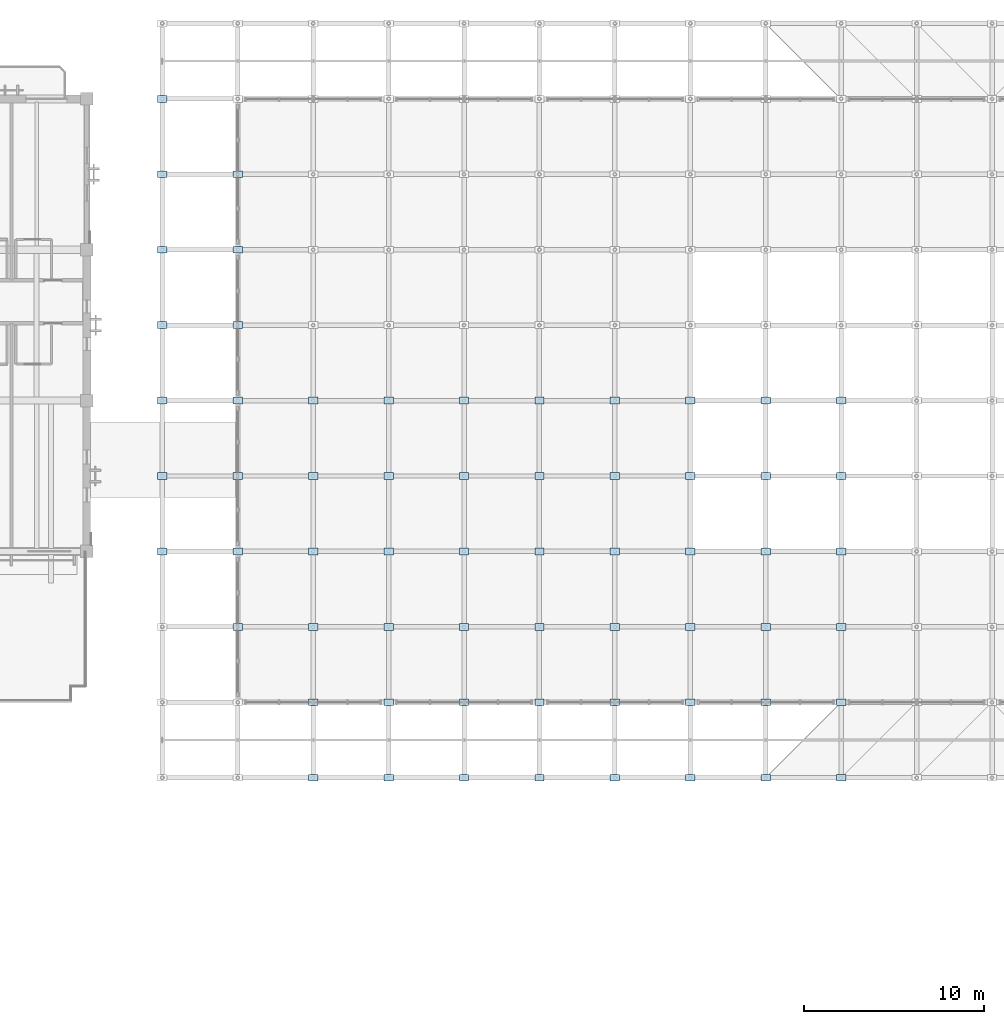
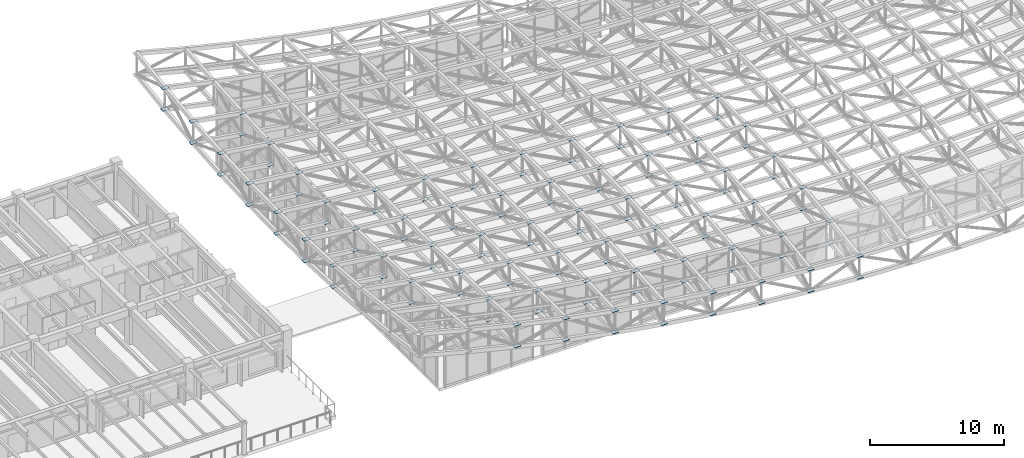
# One storey, part 77 of 111: 124 plates.
"""IFC4 building model written with IfcOpenShell, lengths in metres."""

from ifc_helpers import new_model, si_unit, direction, frame, origin, origin_2d, place, context, subcontext, project, spatial, rectangle, extrude, material, layer, layer_set, type_object, element, save


model = new_model("IFC4")

# Units and contexts
model_context = context("Model", 3, precision=1e-05, world=origin(), true_north=direction((0.0, 1.0)))
body_context = subcontext(model_context, "Body", "Model", "MODEL_VIEW")
ifc_project = project(units=[si_unit("LENGTHUNIT", "METRE"), si_unit("AREAUNIT", "SQUARE_METRE"), si_unit("VOLUMEUNIT", "CUBIC_METRE"), si_unit("PLANEANGLEUNIT", "RADIAN"), si_unit("MASSUNIT", "GRAM", prefix="KILO")], contexts=[model_context])

# Site, building, storey
site_placement = place(None, origin())
site = spatial("IfcSite", under=ifc_project, at=site_placement, CompositionType="ELEMENT")
building_placement = place(site_placement, origin())
building = spatial("IfcBuilding", under=site, at=building_placement, Name="Cumbredor Promenade Congress Hotel", CompositionType="ELEMENT")
storey_placement = place(building_placement, frame((0.0, 0.0, 15.1201171875)))
storey = spatial("IfcBuildingStorey", under=building, at=storey_placement, Name="L04", CompositionType="ELEMENT", Elevation=15.1201171875)

# Plates
ifc_material = material(Name="Steel ASTM A572 Grade 50", Category="steel")
ifc_layer = layer(ifc_material, 0.030029296875, Name="Steel ASTM A572 Grade 50", Category="steel")
ifc_layer_set = layer_set([ifc_layer], Name="Steel ASTM A572 Grade 50")
plate_type = type_object("IfcPlateType", Name="Forum Truss Node Assembly ND-04", PredefinedType="USERDEFINED", material=ifc_layer_set)
for number, where, z_axis, x_axis, name in (
    (1, (88.199951171875, 92.39990234375, 7.6005859375), (0.0, 0.0, 1.0), (1.0, 0.0, 0.0), "Pre-Function and Breakout Meeting Forum Space Frame Top Node 1.4"),
    (2, (88.199951171875, 92.39990234375, 5.65087890625), (0.0, 0.0, 1.0), (1.0, 0.0, 0.0), "Pre-Function and Breakout Meeting Forum Space Frame Bottom Node 1.4"),
    (3, (88.199951171875, 96.60009765625, 7.39794921875), (0.0, 0.0, 1.0), (1.0, 0.0, 0.0), "Pre-Function and Breakout Meeting Forum Space Frame Top Node 1.5"),
    (4, (88.199951171875, 96.60009765625, 5.44775390625), (0.0, 0.0, 1.0), (1.0, 0.0, 0.0), "Pre-Function and Breakout Meeting Forum Space Frame Bottom Node 1.5"),
    (5, (88.199951171875, 100.800048828125, 7.330078125), (0.0, 0.0, 1.0), (1.0, 0.0, 0.0), "Pre-Function and Breakout Meeting Forum Space Frame Top Node 1.6"),
    (6, (88.199951171875, 100.800048828125, 5.38037109375), (0.0, 0.0, 1.0), (1.0, 0.0, 0.0), "Pre-Function and Breakout Meeting Forum Space Frame Bottom Node 1.6"),
    (7, (88.199951171875, 105.0, 7.39794921875), (0.0, 0.0, 1.0), (1.0, 0.0, 0.0), "Pre-Function and Breakout Meeting Forum Space Frame Top Node 1.7"),
    (8, (88.199951171875, 105.0, 5.44775390625), (0.0, 0.0, 1.0), (1.0, 0.0, 0.0), "Pre-Function and Breakout Meeting Forum Space Frame Bottom Node 1.7"),
    (9, (88.199951171875, 109.199951171875, 7.6005859375), (0.0, 0.0, 1.0), (1.0, 0.0, 0.0), "Pre-Function and Breakout Meeting Forum Space Frame Top Node 1.8"),
    (10, (88.199951171875, 109.199951171875, 5.65087890625), (0.0, 0.0, 1.0), (1.0, 0.0, 0.0), "Pre-Function and Breakout Meeting Forum Space Frame Bottom Node 1.8"),
    (11, (88.199951171875, 113.39990234375, 7.93896484375), (0.0, 0.0, 1.0), (1.0, 0.0, 0.0), "Pre-Function and Breakout Meeting Forum Space Frame Top Node 1.9"),
    (12, (88.199951171875, 113.39990234375, 5.98876953125), (0.0, 0.0, 1.0), (1.0, 0.0, 0.0), "Pre-Function and Breakout Meeting Forum Space Frame Bottom Node 1.9"),
    (13, (88.199951171875, 117.60009765625, 8.41162109375), (0.0, 0.0, 1.0), (1.0, 0.0, 0.0), "Pre-Function and Breakout Meeting Forum Space Frame Top Node 1.10"),
    (14, (88.199951171875, 117.60009765625, 6.4619140625), (0.0, 0.0, 1.0), (1.0, 0.0, 0.0), "Pre-Function and Breakout Meeting Forum Space Frame Bottom Node 1.10"),
    (15, (92.39990234375, 88.199951171875, 7.22705078125), (0.0, 0.0, 1.0), (1.0, 0.0, 0.0), "Pre-Function and Breakout Meeting Forum Space Frame Top Node 2.3"),
    (16, (92.39990234375, 88.199951171875, 5.27685546875), (0.0, 0.0, 1.0), (1.0, 0.0, 0.0), "Pre-Function and Breakout Meeting Forum Space Frame Bottom Node 2.3"),
    (17, (92.39990234375, 92.39990234375, 7.01416015625), (0.0, 0.0, 1.0), (1.0, 0.0, 0.0), "Pre-Function and Breakout Meeting Forum Space Frame Top Node 2.4"),
    (18, (92.39990234375, 92.39990234375, 5.06396484375), (0.0, 0.0, 1.0), (1.0, 0.0, 0.0), "Pre-Function and Breakout Meeting Forum Space Frame Bottom Node 2.4"),
    (19, (92.39990234375, 96.60009765625, 6.88623046875), (0.0, 0.0, 1.0), (1.0, 0.0, 0.0), "Pre-Function and Breakout Meeting Forum Space Frame Top Node 2.5"),
    (20, (92.39990234375, 96.60009765625, 4.9365234375), (0.0, 0.0, 1.0), (1.0, 0.0, 0.0), "Pre-Function and Breakout Meeting Forum Space Frame Bottom Node 2.5"),
    (21, (92.39990234375, 100.800048828125, 6.84375), (0.0, 0.0, 1.0), (1.0, 0.0, 0.0), "Pre-Function and Breakout Meeting Forum Space Frame Top Node 2.6"),
    (22, (92.39990234375, 100.800048828125, 4.89404296875), (0.0, 0.0, 1.0), (1.0, 0.0, 0.0), "Pre-Function and Breakout Meeting Forum Space Frame Bottom Node 2.6"),
    (23, (92.39990234375, 105.0, 6.88623046875), (0.0, 0.0, 1.0), (1.0, 0.0, 0.0), "Pre-Function and Breakout Meeting Forum Space Frame Top Node 2.7"),
    (24, (92.39990234375, 105.0, 4.9365234375), (0.0, 0.0, 1.0), (1.0, 0.0, 0.0), "Pre-Function and Breakout Meeting Forum Space Frame Bottom Node 2.7"),
    (25, (92.39990234375, 109.199951171875, 7.01416015625), (0.0, 0.0, 1.0), (1.0, 0.0, 0.0), "Pre-Function and Breakout Meeting Forum Space Frame Top Node 2.8"),
    (26, (92.39990234375, 109.199951171875, 5.06396484375), (0.0, 0.0, 1.0), (1.0, 0.0, 0.0), "Pre-Function and Breakout Meeting Forum Space Frame Bottom Node 2.8"),
    (27, (92.39990234375, 113.39990234375, 7.22705078125), (0.0, 0.0, 1.0), (1.0, 0.0, 0.0), "Pre-Function and Breakout Meeting Forum Space Frame Top Node 2.9"),
    (28, (92.39990234375, 113.39990234375, 5.27685546875), (0.0, 0.0, 1.0), (1.0, 0.0, 0.0), "Pre-Function and Breakout Meeting Forum Space Frame Bottom Node 2.9"),
    (29, (96.60009765625, 79.800048828125, 6.90869140625), (0.0, 0.0, 1.0), (1.0, 0.0, 0.0), "Pre-Function and Breakout Meeting Forum Space Frame Top Node 3.1"),
    (30, (96.60009765625, 79.800048828125, 4.958984375), (0.0, 0.0, 1.0), (1.0, 0.0, 0.0), "Pre-Function and Breakout Meeting Forum Space Frame Bottom Node 3.1"),
    (31, (96.60009765625, 84.0, 6.72509765625), (0.0, 0.0, 1.0), (1.0, 0.0, 0.0), "Pre-Function and Breakout Meeting Forum Space Frame Top Node 3.2"),
    (32, (96.60009765625, 84.0, 4.775390625), (0.0, 0.0, 1.0), (1.0, 0.0, 0.0), "Pre-Function and Breakout Meeting Forum Space Frame Bottom Node 3.2"),
    (33, (96.60009765625, 88.199951171875, 6.5849609375), (0.0, 0.0, 1.0), (1.0, 0.0, 0.0), "Pre-Function and Breakout Meeting Forum Space Frame Top Node 3.3"),
    (34, (96.60009765625, 88.199951171875, 4.63525390625), (0.0, 0.0, 1.0), (1.0, 0.0, 0.0), "Pre-Function and Breakout Meeting Forum Space Frame Bottom Node 3.3"),
    (35, (96.60009765625, 92.39990234375, 6.48486328125), (0.0, 0.0, 1.0), (1.0, 0.0, 0.0), "Pre-Function and Breakout Meeting Forum Space Frame Top Node 3.4"),
    (36, (96.60009765625, 92.39990234375, 4.53466796875), (0.0, 0.0, 1.0), (1.0, 0.0, 0.0), "Pre-Function and Breakout Meeting Forum Space Frame Bottom Node 3.4"),
    (37, (96.60009765625, 96.60009765625, 6.4248046875), (0.0, 0.0, 1.0), (1.0, 0.0, 0.0), "Pre-Function and Breakout Meeting Forum Space Frame Top Node 3.5"),
    (38, (96.60009765625, 96.60009765625, 4.474609375), (0.0, 0.0, 1.0), (1.0, 0.0, 0.0), "Pre-Function and Breakout Meeting Forum Space Frame Bottom Node 3.5"),
    (39, (96.60009765625, 100.800048828125, 6.40478515625), (0.0, 0.0, 1.0), (1.0, 0.0, 0.0), "Pre-Function and Breakout Meeting Forum Space Frame Top Node 3.6"),
    (40, (96.60009765625, 100.800048828125, 4.45458984375), (0.0, 0.0, 1.0), (1.0, 0.0, 0.0), "Pre-Function and Breakout Meeting Forum Space Frame Bottom Node 3.6"),
    (41, (100.800048828125, 79.800048828125, 6.01123046875), (0.0, 0.0, 1.0), (1.0, 0.0, 0.0), "Pre-Function and Breakout Meeting Forum Space Frame Top Node 4.1"),
    (42, (100.800048828125, 79.800048828125, 4.06103515625), (0.0, 0.0, 1.0), (1.0, 0.0, 0.0), "Pre-Function and Breakout Meeting Forum Space Frame Bottom Node 4.1"),
    (43, (100.800048828125, 84.0, 6.009765625), (0.0, 0.0, 1.0), (1.0, 0.0, 0.0), "Pre-Function and Breakout Meeting Forum Space Frame Top Node 4.2"),
    (44, (100.800048828125, 84.0, 4.0595703125), (0.0, 0.0, 1.0), (1.0, 0.0, 0.0), "Pre-Function and Breakout Meeting Forum Space Frame Bottom Node 4.2"),
    (45, (100.800048828125, 88.199951171875, 6.0107421875), (0.0, 0.0, 1.0), (1.0, 0.0, 0.0), "Pre-Function and Breakout Meeting Forum Space Frame Top Node 4.3"),
    (46, (100.800048828125, 88.199951171875, 4.060546875), (0.0, 0.0, 1.0), (1.0, 0.0, 0.0), "Pre-Function and Breakout Meeting Forum Space Frame Bottom Node 4.3"),
    (47, (100.800048828125, 92.39990234375, 6.01123046875), (0.0, 0.0, 1.0), (1.0, 0.0, 0.0), "Pre-Function and Breakout Meeting Forum Space Frame Top Node 4.4"),
    (48, (100.800048828125, 92.39990234375, 4.06103515625), (0.0, 0.0, 1.0), (1.0, 0.0, 0.0), "Pre-Function and Breakout Meeting Forum Space Frame Bottom Node 4.4"),
    (49, (100.800048828125, 96.60009765625, 6.01123046875), (0.0, 0.0, 1.0), (1.0, 0.0, 0.0), "Pre-Function and Breakout Meeting Forum Space Frame Top Node 4.5"),
    (50, (100.800048828125, 96.60009765625, 4.0615234375), (0.0, 0.0, 1.0), (1.0, 0.0, 0.0), "Pre-Function and Breakout Meeting Forum Space Frame Bottom Node 4.5"),
    (51, (100.800048828125, 100.800048828125, 6.01171875), (0.0, 0.0, 1.0), (1.0, 0.0, 0.0), "Pre-Function and Breakout Meeting Forum Space Frame Top Node 4.6"),
    (52, (100.800048828125, 100.800048828125, 4.0615234375), (0.0, 0.0, 1.0), (1.0, 0.0, 0.0), "Pre-Function and Breakout Meeting Forum Space Frame Bottom Node 4.6"),
    (53, (105.0, 79.800048828125, 5.21875), (0.0, 0.0, 1.0), (1.0, 0.0, 0.0), "Pre-Function and Breakout Meeting Forum Space Frame Top Node 5.1"),
    (54, (105.0, 79.800048828125, 3.26904296875), (0.0, 0.0, 1.0), (1.0, 0.0, 0.0), "Pre-Function and Breakout Meeting Forum Space Frame Bottom Node 5.1"),
    (55, (105.0, 84.0, 5.3779296875), (0.0, 0.0, 1.0), (1.0, 0.0, 0.0), "Pre-Function and Breakout Meeting Forum Space Frame Top Node 5.2"),
    (56, (105.0, 84.0, 3.42822265625), (0.0, 0.0, 1.0), (1.0, 0.0, 0.0), "Pre-Function and Breakout Meeting Forum Space Frame Bottom Node 5.2"),
    (57, (105.0, 88.199951171875, 5.50390625), (0.0, 0.0, 1.0), (1.0, 0.0, 0.0), "Pre-Function and Breakout Meeting Forum Space Frame Top Node 5.3"),
    (58, (105.0, 88.199951171875, 3.5537109375), (0.0, 0.0, 1.0), (1.0, 0.0, 0.0), "Pre-Function and Breakout Meeting Forum Space Frame Bottom Node 5.3"),
    (59, (105.0, 92.39990234375, 5.59326171875), (0.0, 0.0, 1.0), (1.0, 0.0, 0.0), "Pre-Function and Breakout Meeting Forum Space Frame Top Node 5.4"),
    (60, (105.0, 92.39990234375, 3.64306640625), (0.0, 0.0, 1.0), (1.0, 0.0, 0.0), "Pre-Function and Breakout Meeting Forum Space Frame Bottom Node 5.4"),
    (61, (105.0, 96.60009765625, 5.64697265625), (0.0, 0.0, 1.0), (1.0, 0.0, 0.0), "Pre-Function and Breakout Meeting Forum Space Frame Top Node 5.5"),
    (62, (105.0, 96.60009765625, 3.69677734375), (0.0, 0.0, 1.0), (1.0, 0.0, 0.0), "Pre-Function and Breakout Meeting Forum Space Frame Bottom Node 5.5"),
    (63, (105.0, 100.800048828125, 5.6650390625), (0.0, 0.0, 1.0), (1.0, 0.0, 0.0), "Pre-Function and Breakout Meeting Forum Space Frame Top Node 5.6"),
    (64, (105.0, 100.800048828125, 3.71484375), (0.0, 0.0, 1.0), (1.0, 0.0, 0.0), "Pre-Function and Breakout Meeting Forum Space Frame Bottom Node 5.6"),
    (65, (109.199951171875, 79.800048828125, 4.53173828125), (0.0, 0.0, 1.0), (1.0, 0.0, 0.0), "Pre-Function and Breakout Meeting Forum Space Frame Top Node 6.1"),
    (66, (109.199951171875, 79.800048828125, 2.58203125), (0.0, 0.0, 1.0), (1.0, 0.0, 0.0), "Pre-Function and Breakout Meeting Forum Space Frame Bottom Node 6.1"),
    (67, (109.199951171875, 84.0, 4.83056640625), (0.0, 0.0, 1.0), (1.0, 0.0, 0.0), "Pre-Function and Breakout Meeting Forum Space Frame Top Node 6.2"),
    (68, (109.199951171875, 84.0, 2.88037109375), (0.0, 0.0, 1.0), (1.0, 0.0, 0.0), "Pre-Function and Breakout Meeting Forum Space Frame Bottom Node 6.2"),
    (69, (109.199951171875, 88.199951171875, 5.06396484375), (0.0, 0.0, 1.0), (1.0, 0.0, 0.0), "Pre-Function and Breakout Meeting Forum Space Frame Top Node 6.3"),
    (70, (109.199951171875, 88.199951171875, 3.11376953125), (0.0, 0.0, 1.0), (1.0, 0.0, 0.0), "Pre-Function and Breakout Meeting Forum Space Frame Bottom Node 6.3"),
    (71, (109.199951171875, 92.39990234375, 5.23046875), (0.0, 0.0, 1.0), (1.0, 0.0, 0.0), "Pre-Function and Breakout Meeting Forum Space Frame Top Node 6.4"),
    (72, (109.199951171875, 92.39990234375, 3.28076171875), (0.0, 0.0, 1.0), (1.0, 0.0, 0.0), "Pre-Function and Breakout Meeting Forum Space Frame Bottom Node 6.4"),
    (73, (109.199951171875, 96.60009765625, 5.33056640625), (0.0, 0.0, 1.0), (1.0, 0.0, 0.0), "Pre-Function and Breakout Meeting Forum Space Frame Top Node 6.5"),
    (74, (109.199951171875, 96.60009765625, 3.380859375), (0.0, 0.0, 1.0), (1.0, 0.0, 0.0), "Pre-Function and Breakout Meeting Forum Space Frame Bottom Node 6.5"),
    (75, (109.199951171875, 100.800048828125, 5.3642578125), (0.0, 0.0, 1.0), (1.0, 0.0, 0.0), "Pre-Function and Breakout Meeting Forum Space Frame Top Node 6.6"),
    (76, (109.199951171875, 100.800048828125, 3.4140625), (0.0, 0.0, 1.0), (1.0, 0.0, 0.0), "Pre-Function and Breakout Meeting Forum Space Frame Bottom Node 6.6"),
    (77, (113.39990234375, 79.800048828125, 3.95068359375), (0.0, 0.0, 1.0), (1.0, 0.0, 0.0), "Pre-Function and Breakout Meeting Forum Space Frame Top Node 7.1"),
    (78, (113.39990234375, 79.800048828125, 2.00048828125), (0.0, 0.0, 1.0), (1.0, 0.0, 0.0), "Pre-Function and Breakout Meeting Forum Space Frame Bottom Node 7.1"),
    (79, (113.39990234375, 84.0, 4.36669921875), (0.0, 0.0, 1.0), (1.0, 0.0, 0.0), "Pre-Function and Breakout Meeting Forum Space Frame Top Node 7.2"),
    (80, (113.39990234375, 84.0, 2.4169921875), (0.0, 0.0, 1.0), (1.0, 0.0, 0.0), "Pre-Function and Breakout Meeting Forum Space Frame Bottom Node 7.2"),
    (81, (113.39990234375, 88.199951171875, 4.69189453125), (0.0, 0.0, 1.0), (1.0, 0.0, 0.0), "Pre-Function and Breakout Meeting Forum Space Frame Top Node 7.3"),
    (82, (113.39990234375, 88.199951171875, 2.74169921875), (0.0, 0.0, 1.0), (1.0, 0.0, 0.0), "Pre-Function and Breakout Meeting Forum Space Frame Bottom Node 7.3"),
    (83, (113.39990234375, 92.39990234375, 4.923828125), (0.0, 0.0, 1.0), (1.0, 0.0, 0.0), "Pre-Function and Breakout Meeting Forum Space Frame Top Node 7.4"),
    (84, (113.39990234375, 92.39990234375, 2.97412109375), (0.0, 0.0, 1.0), (1.0, 0.0, 0.0), "Pre-Function and Breakout Meeting Forum Space Frame Bottom Node 7.4"),
    (85, (113.39990234375, 96.60009765625, 5.0634765625), (0.0, 0.0, 1.0), (1.0, 0.0, 0.0), "Pre-Function and Breakout Meeting Forum Space Frame Top Node 7.5"),
    (86, (113.39990234375, 96.60009765625, 3.11328125), (0.0, 0.0, 1.0), (1.0, 0.0, 0.0), "Pre-Function and Breakout Meeting Forum Space Frame Bottom Node 7.5"),
    (87, (113.39990234375, 100.800048828125, 5.10986328125), (0.0, 0.0, 1.0), (1.0, 0.0, 0.0), "Pre-Function and Breakout Meeting Forum Space Frame Top Node 7.6"),
    (88, (113.39990234375, 100.800048828125, 3.15966796875), (0.0, 0.0, 1.0), (1.0, 0.0, 0.0), "Pre-Function and Breakout Meeting Forum Space Frame Bottom Node 7.6"),
    (89, (117.60009765625, 79.800048828125, 3.474609375), (0.0, 0.0, 1.0), (1.0, 0.0, 0.0), "Pre-Function and Breakout Meeting Forum Space Frame Top Node 8.1"),
    (90, (117.60009765625, 79.800048828125, 1.52490234375), (0.0, 0.0, 1.0), (1.0, 0.0, 0.0), "Pre-Function and Breakout Meeting Forum Space Frame Bottom Node 8.1"),
    (91, (117.60009765625, 84.0, 3.9873046875), (0.0, 0.0, 1.0), (1.0, 0.0, 0.0), "Pre-Function and Breakout Meeting Forum Space Frame Top Node 8.2"),
    (92, (117.60009765625, 84.0, 2.03759765625), (0.0, 0.0, 1.0), (1.0, 0.0, 0.0), "Pre-Function and Breakout Meeting Forum Space Frame Bottom Node 8.2"),
    (93, (117.60009765625, 88.199951171875, 4.38720703125), (0.0, 0.0, 1.0), (1.0, 0.0, 0.0), "Pre-Function and Breakout Meeting Forum Space Frame Top Node 8.3"),
    (94, (117.60009765625, 88.199951171875, 2.4375), (0.0, 0.0, 1.0), (1.0, 0.0, 0.0), "Pre-Function and Breakout Meeting Forum Space Frame Bottom Node 8.3"),
    (95, (117.60009765625, 92.39990234375, 4.6728515625), (0.0, 0.0, 1.0), (1.0, 0.0, 0.0), "Pre-Function and Breakout Meeting Forum Space Frame Top Node 8.4"),
    (96, (117.60009765625, 92.39990234375, 2.72314453125), (0.0, 0.0, 1.0), (1.0, 0.0, 0.0), "Pre-Function and Breakout Meeting Forum Space Frame Bottom Node 8.4"),
    (97, (117.60009765625, 96.60009765625, 4.84423828125), (0.0, 0.0, 1.0), (1.0, 0.0, 0.0), "Pre-Function and Breakout Meeting Forum Space Frame Top Node 8.5"),
    (98, (117.60009765625, 96.60009765625, 2.89453125), (0.0, 0.0, 1.0), (1.0, 0.0, 0.0), "Pre-Function and Breakout Meeting Forum Space Frame Bottom Node 8.5"),
    (99, (117.60009765625, 100.800048828125, 4.90185546875), (0.0, 0.0, 1.0), (1.0, 0.0, 0.0), "Pre-Function and Breakout Meeting Forum Space Frame Top Node 8.6"),
    (100, (117.60009765625, 100.800048828125, 2.95166015625), (0.0, 0.0, 1.0), (1.0, 0.0, 0.0), "Pre-Function and Breakout Meeting Forum Space Frame Bottom Node 8.6"),
    (101, (121.800048828125, 79.800048828125, 3.1044921875), (0.0, 0.0, 1.0), (1.0, 0.0, 0.0), "Pre-Function and Breakout Meeting Forum Space Frame Top Node 9.1"),
    (102, (121.800048828125, 79.800048828125, 1.154296875), (0.0, 0.0, 1.0), (1.0, 0.0, 0.0), "Pre-Function and Breakout Meeting Forum Space Frame Bottom Node 9.1"),
    (103, (121.800048828125, 84.0, 3.69189453125), (0.0, 0.0, 1.0), (1.0, 0.0, 0.0), "Pre-Function and Breakout Meeting Forum Space Frame Top Node 9.2"),
    (104, (121.800048828125, 84.0, 1.7421875), (0.0, 0.0, 1.0), (1.0, 0.0, 0.0), "Pre-Function and Breakout Meeting Forum Space Frame Bottom Node 9.2"),
    (105, (121.800048828125, 88.199951171875, 4.150390625), (0.0, 0.0, 1.0), (1.0, 0.0, 0.0), "Pre-Function and Breakout Meeting Forum Space Frame Top Node 9.3"),
    (106, (121.800048828125, 88.199951171875, 2.20068359375), (0.0, 0.0, 1.0), (1.0, 0.0, 0.0), "Pre-Function and Breakout Meeting Forum Space Frame Bottom Node 9.3"),
    (107, (121.800048828125, 92.39990234375, 4.47802734375), (0.0, 0.0, 1.0), (1.0, 0.0, 0.0), "Pre-Function and Breakout Meeting Forum Space Frame Top Node 9.4"),
    (108, (121.800048828125, 92.39990234375, 2.52783203125), (0.0, 0.0, 1.0), (1.0, 0.0, 0.0), "Pre-Function and Breakout Meeting Forum Space Frame Bottom Node 9.4"),
    (109, (121.800048828125, 96.60009765625, 4.67431640625), (0.0, 0.0, 1.0), (1.0, 0.0, 0.0), "Pre-Function and Breakout Meeting Forum Space Frame Top Node 9.5"),
    (110, (121.800048828125, 96.60009765625, 2.724609375), (0.0, 0.0, 1.0), (1.0, 0.0, 0.0), "Pre-Function and Breakout Meeting Forum Space Frame Bottom Node 9.5"),
    (111, (121.800048828125, 100.800048828125, 4.73974609375), (0.0, 0.0, 1.0), (1.0, 0.0, 0.0), "Pre-Function and Breakout Meeting Forum Space Frame Top Node 9.6"),
    (112, (121.800048828125, 100.800048828125, 2.7900390625), (0.0, 0.0, 1.0), (1.0, 0.0, 0.0), "Pre-Function and Breakout Meeting Forum Space Frame Bottom Node 9.6"),
    (113, (126.0, 79.800048828125, 2.83984375), (0.0, 0.0, 1.0), (1.0, 0.0, 0.0), "Pre-Function and Breakout Meeting Forum Space Frame Top Node 10.1"),
    (114, (126.0, 79.800048828125, 0.89013671875), (0.0, 0.0, 1.0), (1.0, 0.0, 0.0), "Pre-Function and Breakout Meeting Forum Space Frame Bottom Node 10.1"),
    (115, (126.0, 84.0, 3.48095703125), (0.0, 0.0, 1.0), (1.0, 0.0, 0.0), "Pre-Function and Breakout Meeting Forum Space Frame Top Node 10.2"),
    (116, (126.0, 84.0, 1.53125), (0.0, 0.0, 1.0), (1.0, 0.0, 0.0), "Pre-Function and Breakout Meeting Forum Space Frame Bottom Node 10.2"),
    (117, (126.0, 88.199951171875, 3.98095703125), (0.0, 0.0, 1.0), (1.0, 0.0, 0.0), "Pre-Function and Breakout Meeting Forum Space Frame Top Node 10.3"),
    (118, (126.0, 88.199951171875, 2.03125), (0.0, 0.0, 1.0), (1.0, 0.0, 0.0), "Pre-Function and Breakout Meeting Forum Space Frame Bottom Node 10.3"),
    (119, (126.0, 92.39990234375, 4.33837890625), (0.0, 0.0, 1.0), (1.0, 0.0, 0.0), "Pre-Function and Breakout Meeting Forum Space Frame Top Node 10.4"),
    (120, (126.0, 92.39990234375, 2.38818359375), (0.0, 0.0, 1.0), (1.0, 0.0, 0.0), "Pre-Function and Breakout Meeting Forum Space Frame Bottom Node 10.4"),
    (121, (126.0, 96.60009765625, 4.552734375), (0.0, 0.0, 1.0), (1.0, 0.0, 0.0), "Pre-Function and Breakout Meeting Forum Space Frame Top Node 10.5"),
    (122, (126.0, 96.60009765625, 2.6025390625), (0.0, 0.0, 1.0), (1.0, 0.0, 0.0), "Pre-Function and Breakout Meeting Forum Space Frame Bottom Node 10.5"),
    (123, (126.0, 100.800048828125, 4.62451171875), (0.0, 0.0, 1.0), (1.0, 0.0, 0.0), "Pre-Function and Breakout Meeting Forum Space Frame Top Node 10.6"),
    (124, (126.0, 100.800048828125, 2.67431640625), (0.0, 0.0, 1.0), (1.0, 0.0, 0.0), "Pre-Function and Breakout Meeting Forum Space Frame Bottom Node 10.6"),
):
    element("IfcPlate", number, at=place(storey_placement, frame(where, z_axis=z_axis, x_axis=x_axis)), inside=storey, type_object=plate_type, Name=name, ObjectType="GUSSET PLATE", PredefinedType="USERDEFINED", context=body_context, shape_type="SweptSolid", body=[
        extrude(rectangle(XDim=0.52001953125, YDim=0.3798828125, at=origin_2d()), origin(), (0.0, 0.0, 1.0), 0.030029296875),
    ])

save(model, "model.ifc")
